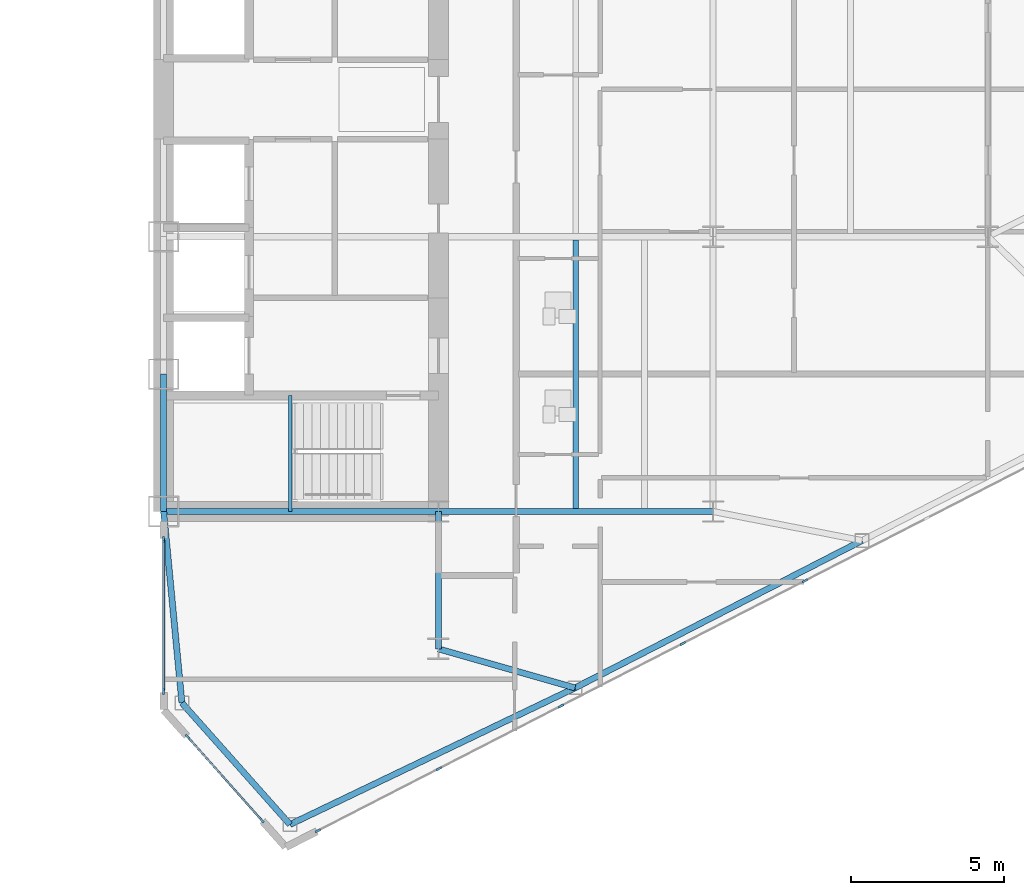
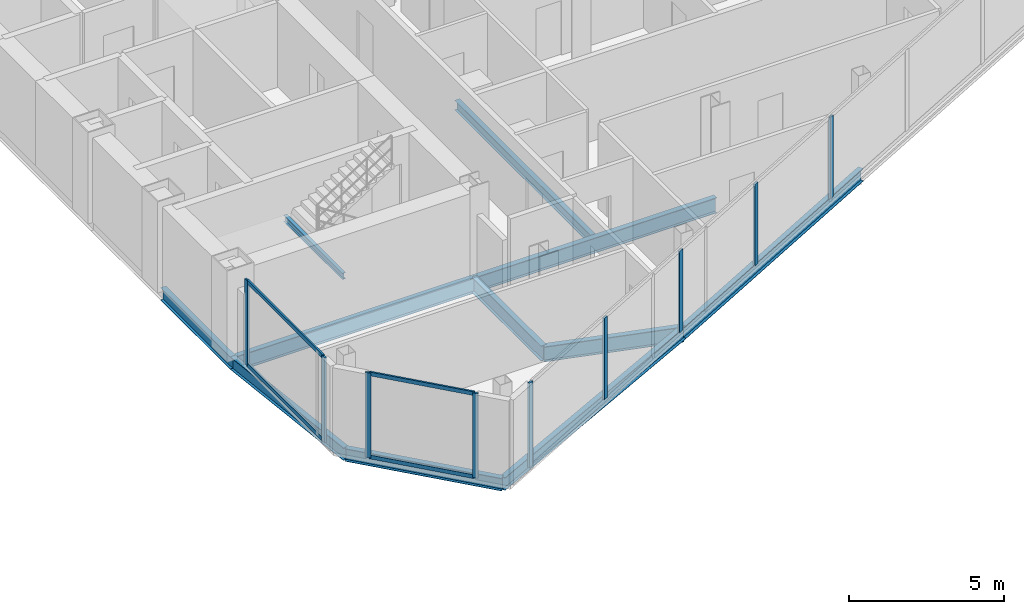
# One storey, part 8 of 23: 13 members, 11 beams, 3 elements without a shape of their own.
"""IFC4 building model written with IfcOpenShell, lengths in metres."""

from ifc_helpers import new_model, si_unit, direction, frame, origin, origin_2d, place, context, subcontext, project, spatial, rectangle, i_section, extrude, source, transform, mapped, material, layer, layer_set, material_profile, profile_set, type_object, type_shapes, element, aggregate, save


model = new_model("IFC4")

# Units and contexts
model_context = context("Model", 3, precision=1e-05, world=origin(), true_north=direction((0.0, 1.0)))
body_context = subcontext(model_context, "Body", "Model", "MODEL_VIEW")
ifc_project = project(units=[si_unit("LENGTHUNIT", "METRE"), si_unit("AREAUNIT", "SQUARE_METRE"), si_unit("VOLUMEUNIT", "CUBIC_METRE"), si_unit("PLANEANGLEUNIT", "RADIAN"), si_unit("MASSUNIT", "GRAM", prefix="KILO")], contexts=[model_context])

# Site, building, storey
site_placement = place(None, origin())
site = spatial("IfcSite", under=ifc_project, at=site_placement, CompositionType="ELEMENT")
building_placement = place(site_placement, origin())
building = spatial("IfcBuilding", under=site, at=building_placement, Name="Seokmaru Belvedere", CompositionType="ELEMENT")
storey_placement = place(building_placement, frame((0.0, 0.0, 132.0)))
storey = spatial("IfcBuildingStorey", under=building, at=storey_placement, Name="L35", CompositionType="ELEMENT", Elevation=132.0)

# Beams
ifc_material_1 = material(Name="Steel SM355 (355 MPa)", Category="steel")
ifc_material_profile_1 = material_profile(ifc_material_1, i_section(OverallWidth=0.199951171875, OverallDepth=0.5, WebThickness=0.010009765625, FlangeThickness=0.01611328125, at=origin_2d()), Name="H-500x200x10x16")
ifc_profile_set_1 = profile_set([ifc_material_profile_1], Name="Steel SM355 (355 MPa)")
beam_type_1 = type_object("IfcBeamType", Name="Perimeter Spandrel Beam H-500", PredefinedType="SPANDREL", material=ifc_profile_set_1)
shared_shape_1 = source(origin(), body_context, "Body", "SweptSolid", [
    extrude(i_section(OverallWidth=0.199951171875, OverallDepth=0.5, WebThickness=0.010009765625, FlangeThickness=0.01611328125, at=origin_2d()), origin(), (0.0, 0.0, 1.0), 4.5),
])
beam_1_placement = place(storey_placement, frame((27.5, -13.5, -0.469970703125), z_axis=(0.0, 1.0, 0.0), x_axis=(-1.0, 0.0, 0.0)))
element("IfcBeam", 1, at=beam_1_placement, inside=storey, type_object=beam_type_1, Name="L35 E Portal Spine Spandrel 1", PredefinedType="SPANDREL", context=body_context, shape_type="MappedRepresentation", body=[
    mapped(shared_shape_1, transform((0.0, 0.0, 0.0), scale=1.0)),
])
ifc_material_profile_2 = material_profile(ifc_material_1, i_section(OverallWidth=0.199951171875, OverallDepth=0.60009765625, WebThickness=0.010986328125, FlangeThickness=0.01708984375, at=origin_2d()), Name="H-600x200x11x17")
ifc_profile_set_2 = profile_set([ifc_material_profile_2], Name="Steel SM355 (355 MPa)")
beam_type_2 = type_object("IfcBeamType", Name="Primary Floor Girder H-600", PredefinedType="BEAM", material=ifc_profile_set_2)
shared_shape_2 = source(origin(), body_context, "Body", "SweptSolid", [
    extrude(i_section(OverallWidth=0.199951171875, OverallDepth=0.60009765625, WebThickness=0.010986328125, FlangeThickness=0.01708984375, at=origin_2d()), origin(), (0.0, 0.0, 1.0), 9.0),
])
for number, where, z_axis, x_axis, name in (
    (2, (27.5, -13.5, -0.52001953125), (1.0, 0.0, 0.0), (0.0, 1.0, 0.0), "L35 E Core Tie Girder 1"),
    (3, (36.5, -13.5, -0.52001953125), (1.0, 0.0, 0.0), (0.0, 1.0, 0.0), "L35 E Wing Primary Girder 1"),
):
    element("IfcBeam", number, at=place(storey_placement, frame(where, z_axis=z_axis, x_axis=x_axis)), inside=storey, type_object=beam_type_2, Name=name, PredefinedType="BEAM", context=body_context, shape_type="MappedRepresentation", body=[
        mapped(shared_shape_2, transform((0.0, 0.0, 0.0), scale=1.0)),
    ])
ifc_material_profile_3 = material_profile(ifc_material_1, i_section(OverallWidth=0.18505859375, OverallDepth=0.389892578125, WebThickness=0.008056640625, FlangeThickness=0.011962890625, at=origin_2d()), Name="H-390x185x8x12")
ifc_profile_set_3 = profile_set([ifc_material_profile_3], Name="Steel SM355 (355 MPa)")
beam_type_3 = type_object("IfcBeamType", Name="Secondary Floor Joist H-350", PredefinedType="JOIST", material=ifc_profile_set_3)
shared_shape_3 = source(origin(), body_context, "Body", "SweptSolid", [
    extrude(i_section(OverallWidth=0.18505859375, OverallDepth=0.389892578125, WebThickness=0.008056640625, FlangeThickness=0.011962890625, at=origin_2d()), origin(), (0.0, 0.0, 1.0), 8.7900390625),
])
type_shapes(beam_type_3, [shared_shape_3])
beam_2_placement = place(storey_placement, frame((41.0, -13.39501953125, -0.4150390625), z_axis=(0.0, 1.0, 0.0), x_axis=(-1.0, 0.0, 0.0)))
element("IfcBeam", 4, at=beam_2_placement, inside=storey, type_object=beam_type_3, Name="L35 E Secondary Floor Joist 1", PredefinedType="JOIST", context=body_context, shape_type="MappedRepresentation", body=[
    mapped(shared_shape_3, transform((0.0, 0.0, 0.0), scale=1.0)),
])
shared_shape_4 = source(origin(), body_context, "Body", "SweptSolid", [
    extrude(i_section(OverallWidth=0.199951171875, OverallDepth=0.60009765625, WebThickness=0.010986328125, FlangeThickness=0.01708984375, at=origin_2d()), origin(), (0.0, 0.0, 1.0), 4.5),
])
beam_3_placement = place(storey_placement, frame((36.5, -18.0, -0.52001953125), z_axis=(0.0, 1.0, 0.0), x_axis=(-1.0, 0.0, 0.0)))
element("IfcBeam", 5, at=beam_3_placement, inside=storey, type_object=beam_type_2, Name="L35 E Core Shoulder Girder S", PredefinedType="BEAM", context=body_context, shape_type="MappedRepresentation", body=[
    mapped(shared_shape_4, transform((0.0, 0.0, 0.0), scale=1.0)),
])
shared_shape_5 = source(origin(), body_context, "Body", "SweptSolid", [
    extrude(i_section(OverallWidth=0.199951171875, OverallDepth=0.5, WebThickness=0.010009765625, FlangeThickness=0.01611328125, at=origin_2d()), origin(), (0.0, 0.0, 1.0), 10.353759765625),
])
beam_4_placement = place(storey_placement, frame((31.6396484375, -23.75390625, -0.469970703125), z_axis=(0.901713202822, 0.432334708134, 0.0), x_axis=(-0.432334708134, 0.901713202822, 0.0)))
element("IfcBeam", 6, at=beam_4_placement, inside=storey, type_object=beam_type_1, Name="L35 E Faceted Flank Spandrel S-1", PredefinedType="SPANDREL", context=body_context, shape_type="MappedRepresentation", body=[
    mapped(shared_shape_5, transform((0.0, 0.0, 0.0), scale=1.0)),
])
shared_shape_6 = source(origin(), body_context, "Body", "SweptSolid", [
    extrude(i_section(OverallWidth=0.199951171875, OverallDepth=0.5, WebThickness=0.010009765625, FlangeThickness=0.01611328125, at=origin_2d()), origin(), (0.0, 0.0, 1.0), 10.56689453125),
])
beam_5_placement = place(storey_placement, frame((40.975830078125, -19.277587890625, -0.469970703125), z_axis=(0.889701972758, 0.45654178305, 0.0), x_axis=(-0.45654178305, 0.889701972758, 0.0)))
element("IfcBeam", 7, at=beam_5_placement, inside=storey, type_object=beam_type_1, Name="L35 E Faceted Flank Spandrel S-2", PredefinedType="SPANDREL", context=body_context, shape_type="MappedRepresentation", body=[
    mapped(shared_shape_6, transform((0.0, 0.0, 0.0), scale=1.0)),
])
shared_shape_7 = source(origin(), body_context, "Body", "SweptSolid", [
    extrude(i_section(OverallWidth=0.199951171875, OverallDepth=0.5, WebThickness=0.010009765625, FlangeThickness=0.01611328125, at=origin_2d()), origin(), (0.0, 0.0, 1.0), 5.32763671875),
])
beam_6_placement = place(storey_placement, frame((31.6396484375, -23.75390625, -0.469970703125), z_axis=(-0.66436952742, 0.74740426212, 0.0), x_axis=(-0.74740426212, -0.66436952742, 0.0)))
element("IfcBeam", 8, at=beam_6_placement, inside=storey, type_object=beam_type_1, Name="L35 E Shoulder Chamfer Spandrel S", PredefinedType="SPANDREL", context=body_context, shape_type="MappedRepresentation", body=[
    mapped(shared_shape_7, transform((0.0, 0.0, 0.0), scale=1.0)),
])
shared_shape_8 = source(origin(), body_context, "Body", "SweptSolid", [
    extrude(i_section(OverallWidth=0.199951171875, OverallDepth=0.5, WebThickness=0.010009765625, FlangeThickness=0.01611328125, at=origin_2d()), origin(), (0.0, 0.0, 1.0), 6.300537109375),
])
type_shapes(beam_type_1, [shared_shape_1, shared_shape_5, shared_shape_6, shared_shape_7, shared_shape_8])
beam_7_placement = place(storey_placement, frame((28.10009765625, -19.77197265625, -0.469970703125), z_axis=(-0.095244287992, 0.995453929424, 0.0), x_axis=(-0.995453929424, -0.095244287992, 0.0)))
element("IfcBeam", 9, at=beam_7_placement, inside=storey, type_object=beam_type_1, Name="L35 E Shoulder Spine Spandrel S", PredefinedType="SPANDREL", context=body_context, shape_type="MappedRepresentation", body=[
    mapped(shared_shape_8, transform((0.0, 0.0, 0.0), scale=1.0)),
])
shared_shape_9 = source(origin(), body_context, "Body", "SweptSolid", [
    extrude(i_section(OverallWidth=0.199951171875, OverallDepth=0.60009765625, WebThickness=0.010986328125, FlangeThickness=0.01708984375, at=origin_2d()), origin(), (0.0, 0.0, 1.0), 4.654541015625),
])
type_shapes(beam_type_2, [shared_shape_2, shared_shape_4, shared_shape_9])
beam_8_placement = place(storey_placement, frame((40.975830078125, -19.277587890625, -0.52001953125), z_axis=(-0.961593192625, 0.274478654721, 0.0), x_axis=(-0.274478654721, -0.961593192625, 0.0)))
element("IfcBeam", 10, at=beam_8_placement, inside=storey, type_object=beam_type_2, Name="L35 E Flank Radial Floor Girder S-1", PredefinedType="BEAM", context=body_context, shape_type="MappedRepresentation", body=[
    mapped(shared_shape_9, transform((0.0, 0.0, 0.0), scale=1.0)),
])

# Curtain wall, member
ifc_material_2 = material(Name="Bronze Triple Insulating Glass", Category="glass")
ifc_layer = layer(ifc_material_2, 0.195068359375)
ifc_layer_set = layer_set([ifc_layer], Name="Bronze Triple Insulating Glass")
curtain_wall_type = type_object("IfcCurtainWallType", Name="Sky-Lobby and Mid-Rise Curtain Wall System CW-4", PredefinedType="NOTDEFINED", material=ifc_layer_set)
curtain_wall_1_placement = place(storey_placement, origin())
curtain_wall_1 = element("IfcCurtainWall", 11, at=curtain_wall_1_placement, inside=storey, type_object=curtain_wall_type, Name="L35 Curtain Wall EF1", PredefinedType="NOTDEFINED")
ifc_material_3 = material(Name="Anodised Bronze Aluminium", Category="aluminium")
ifc_material_profile_4 = material_profile(ifc_material_3, rectangle(XDim=0.070068359375, YDim=0.195068359375, at=origin_2d()), Name="CW-M-70x195")
ifc_profile_set_4 = profile_set([ifc_material_profile_4], Name="Anodised Bronze Aluminium")
member_type_1 = type_object("IfcMemberType", Name="Bronze Unitised Mullion 70x195", PredefinedType="MULLION", material=ifc_profile_set_4)
shared_shape_10 = source(origin(), body_context, "Body", "SweptSolid", [
    extrude(rectangle(XDim=0.070068359375, YDim=0.195068359375, at=origin_2d()), origin(), (0.0, 0.0, 1.0), 3.340087890625),
])
member_1_placement = place(storey_placement, frame((32.55419921875, -23.958984375, 0.0), z_axis=(0.0, 0.0, 1.0), x_axis=(-0.456554528263, 0.889695432562, 0.0)))
member_1 = element("IfcMember", 12, at=member_1_placement, type_object=member_type_1, Name="CW:L35:EF1 Mullion 1", PredefinedType="MULLION", context=body_context, shape_type="MappedRepresentation", body=[
    mapped(shared_shape_10, transform((0.0, 0.0, 0.0), scale=1.0)),
])

# Curtain wall, members
curtain_wall_2_placement = place(storey_placement, origin())
curtain_wall_2 = element("IfcCurtainWall", 13, at=curtain_wall_2_placement, inside=storey, type_object=curtain_wall_type, Name="L35 Curtain Wall ESP_1", PredefinedType="NOTDEFINED")
member_2_placement = place(storey_placement, frame((27.5, -14.4150390625, 0.0), z_axis=(0.0, 0.0, 1.0), x_axis=(1.0, 0.0, 0.0)))
member_2 = element("IfcMember", 14, at=member_2_placement, type_object=member_type_1, Name="CW:L35:ESP_1 Mullion 1", PredefinedType="MULLION", context=body_context, shape_type="MappedRepresentation", body=[
    mapped(shared_shape_10, transform((0.0, 0.0, 0.0), scale=1.0)),
])
member_3_placement = place(storey_placement, frame((27.5, -19.39501953125, 0.0), z_axis=(0.0, 0.0, 1.0), x_axis=(1.0, 0.0, 0.0)))
member_3 = element("IfcMember", 15, at=member_3_placement, type_object=member_type_1, Name="CW:L35:ESP_1 Mullion 2", PredefinedType="MULLION", context=body_context, shape_type="MappedRepresentation", body=[
    mapped(shared_shape_10, transform((0.0, 0.0, 0.0), scale=1.0)),
])

curtain_wall_3_placement = place(storey_placement, origin())
curtain_wall_3 = element("IfcCurtainWall", 16, at=curtain_wall_3_placement, inside=storey, type_object=curtain_wall_type, Name="L35 Curtain Wall EF6", PredefinedType="NOTDEFINED")
member_4_placement = place(storey_placement, frame((28.287353515625, -20.8857421875, 0.0), z_axis=(0.0, 0.0, 1.0), x_axis=(0.747409774804, 0.664363325694, 0.0)))
member_4 = element("IfcMember", 17, at=member_4_placement, type_object=member_type_1, Name="CW:L35:EF6 Mullion 1", PredefinedType="MULLION", context=body_context, shape_type="MappedRepresentation", body=[
    mapped(shared_shape_10, transform((0.0, 0.0, 0.0), scale=1.0)),
])
member_5_placement = place(storey_placement, frame((30.712646484375, -23.6142578125, 0.0), z_axis=(0.0, 0.0, 1.0), x_axis=(0.747409774804, 0.664363325694, 0.0)))
member_5 = element("IfcMember", 18, at=member_5_placement, type_object=member_type_1, Name="CW:L35:EF6 Mullion 2", PredefinedType="MULLION", context=body_context, shape_type="MappedRepresentation", body=[
    mapped(shared_shape_10, transform((0.0, 0.0, 0.0), scale=1.0)),
])

# Member
ifc_material_profile_5 = material_profile(ifc_material_3, rectangle(XDim=0.06494140625, YDim=0.14990234375, at=origin_2d()), Name="CW-T-65x150")
ifc_profile_set_5 = profile_set([ifc_material_profile_5], Name="Anodised Bronze Aluminium")
member_type_2 = type_object("IfcMemberType", Name="Bronze Unitised Transom 65x150", PredefinedType="USERDEFINED", material=ifc_profile_set_5)
shared_shape_11 = source(origin(), body_context, "Body", "SweptSolid", [
    extrude(rectangle(XDim=0.06494140625, YDim=0.14990234375, at=origin_2d()), origin(), (0.0, 0.0, 1.0), 4.91015625),
])
member_6_placement = place(storey_placement, frame((27.5, -14.449951171875, 0.032470703125), z_axis=(0.0, -1.0, 0.0), x_axis=(1.0, 0.0, 0.0)))
member_6 = element("IfcMember", 19, at=member_6_placement, type_object=member_type_2, Name="CW:L35:ESP_1 Continuous Transom 1", ObjectType="TRANSOM", PredefinedType="USERDEFINED", context=body_context, shape_type="MappedRepresentation", body=[
    mapped(shared_shape_11, transform((0.0, 0.0, 0.0), scale=1.0)),
])

member_7_placement = place(storey_placement, frame((27.5, -14.449951171875, 3.3076171875), z_axis=(0.0, -1.0, 0.0), x_axis=(1.0, 0.0, 0.0)))
member_7 = element("IfcMember", 20, at=member_7_placement, type_object=member_type_2, Name="CW:L35:ESP_1 Continuous Transom 2", ObjectType="TRANSOM", PredefinedType="USERDEFINED", context=body_context, shape_type="MappedRepresentation", body=[
    mapped(shared_shape_11, transform((0.0, 0.0, 0.0), scale=1.0)),
])

aggregate(curtain_wall_2, [member_2, member_3, member_6, member_7])

shared_shape_12 = source(origin(), body_context, "Body", "SweptSolid", [
    extrude(rectangle(XDim=0.06494140625, YDim=0.14990234375, at=origin_2d()), origin(), (0.0, 0.0, 1.0), 3.580810546875),
])
type_shapes(member_type_2, [shared_shape_11, shared_shape_12])
member_8_placement = place(storey_placement, frame((28.310546875, -20.911865234375, 0.032470703125), z_axis=(0.66436383883, -0.747409318684, 0.0), x_axis=(0.747409318684, 0.66436383883, 0.0)))
member_8 = element("IfcMember", 21, at=member_8_placement, type_object=member_type_2, Name="CW:L35:EF6 Continuous Transom 1", ObjectType="TRANSOM", PredefinedType="USERDEFINED", context=body_context, shape_type="MappedRepresentation", body=[
    mapped(shared_shape_12, transform((0.0, 0.0, 0.0), scale=1.0)),
])

member_9_placement = place(storey_placement, frame((28.310546875, -20.911865234375, 3.3076171875), z_axis=(0.66436383883, -0.747409318684, 0.0), x_axis=(0.747409318684, 0.66436383883, 0.0)))
member_9 = element("IfcMember", 22, at=member_9_placement, type_object=member_type_2, Name="CW:L35:EF6 Continuous Transom 2", ObjectType="TRANSOM", PredefinedType="USERDEFINED", context=body_context, shape_type="MappedRepresentation", body=[
    mapped(shared_shape_12, transform((0.0, 0.0, 0.0), scale=1.0)),
])

aggregate(curtain_wall_3, [member_4, member_5, member_8, member_9])

shared_shape_13 = source(origin(), body_context, "Body", "SweptSolid", [
    extrude(rectangle(XDim=0.070068359375, YDim=0.195068359375, at=origin_2d()), origin(), (0.0, 0.0, 1.0), 3.2099609375),
])
type_shapes(member_type_1, [shared_shape_10, shared_shape_13])
member_10_placement = place(storey_placement, frame((36.51806640625, -21.925048828125, 0.06494140625), z_axis=(0.0, 0.0, 1.0), x_axis=(-0.456554528263, 0.889695432562, 0.0)))
member_10 = element("IfcMember", 23, at=member_10_placement, type_object=member_type_1, Name="CW:L35:EF1 Mullion 2", PredefinedType="MULLION", context=body_context, shape_type="MappedRepresentation", body=[
    mapped(shared_shape_13, transform((0.0, 0.0, 0.0), scale=1.0)),
])

member_11_placement = place(storey_placement, frame((40.5126953125, -19.875, 0.06494140625), z_axis=(0.0, 0.0, 1.0), x_axis=(-0.456554528263, 0.889695432562, 0.0)))
member_11 = element("IfcMember", 24, at=member_11_placement, type_object=member_type_1, Name="CW:L35:EF1 Mullion 3", PredefinedType="MULLION", context=body_context, shape_type="MappedRepresentation", body=[
    mapped(shared_shape_13, transform((0.0, 0.0, 0.0), scale=1.0)),
])

member_12_placement = place(storey_placement, frame((44.5078125, -17.824951171875, 0.06494140625), z_axis=(0.0, 0.0, 1.0), x_axis=(-0.456554528263, 0.889695432562, 0.0)))
member_12 = element("IfcMember", 25, at=member_12_placement, type_object=member_type_1, Name="CW:L35:EF1 Mullion 4", PredefinedType="MULLION", context=body_context, shape_type="MappedRepresentation", body=[
    mapped(shared_shape_13, transform((0.0, 0.0, 0.0), scale=1.0)),
])

member_13_placement = place(storey_placement, frame((48.502685546875, -15.77490234375, 0.06494140625), z_axis=(0.0, 0.0, 1.0), x_axis=(-0.456554528263, 0.889695432562, 0.0)))
member_13 = element("IfcMember", 26, at=member_13_placement, type_object=member_type_1, Name="CW:L35:EF1 Mullion 5", PredefinedType="MULLION", context=body_context, shape_type="MappedRepresentation", body=[
    mapped(shared_shape_13, transform((0.0, 0.0, 0.0), scale=1.0)),
])

aggregate(curtain_wall_1, [member_1, member_10, member_11, member_12, member_13])

# Beam
ifc_material_profile_6 = material_profile(ifc_material_1, i_section(OverallWidth=0.125, OverallDepth=0.25, WebThickness=0.006103515625, FlangeThickness=0.009033203125, at=origin_2d()), Name="H-250x125x6x9")
ifc_profile_set_6 = profile_set([ifc_material_profile_6], Name="Steel SM355 (355 MPa)")
beam_type_4 = type_object("IfcBeamType", Name="Stair Mid-Landing Support Beam H-250", PredefinedType="JOIST", material=ifc_profile_set_6)
shared_shape_14 = source(origin(), body_context, "Body", "SweptSolid", [
    extrude(i_section(OverallWidth=0.125, OverallDepth=0.25, WebThickness=0.006103515625, FlangeThickness=0.009033203125, at=origin_2d()), origin(), (0.0, 0.0, 1.0), 3.800048828125),
])
type_shapes(beam_type_4, [shared_shape_14])
beam_9_placement = place(storey_placement, frame((31.64990234375, -13.5, 1.47509765625), z_axis=(0.0, 1.0, 0.0), x_axis=(-1.0, 0.0, 0.0)))
element("IfcBeam", 27, at=beam_9_placement, inside=storey, type_object=beam_type_4, Name="L35 Stair ST-E1 Mid-Landing Support Beam 1", PredefinedType="JOIST", context=body_context, shape_type="MappedRepresentation", body=[
    mapped(shared_shape_14, transform((0.0, 0.0, 0.0), scale=1.0)),
])

save(model, "model.ifc")
